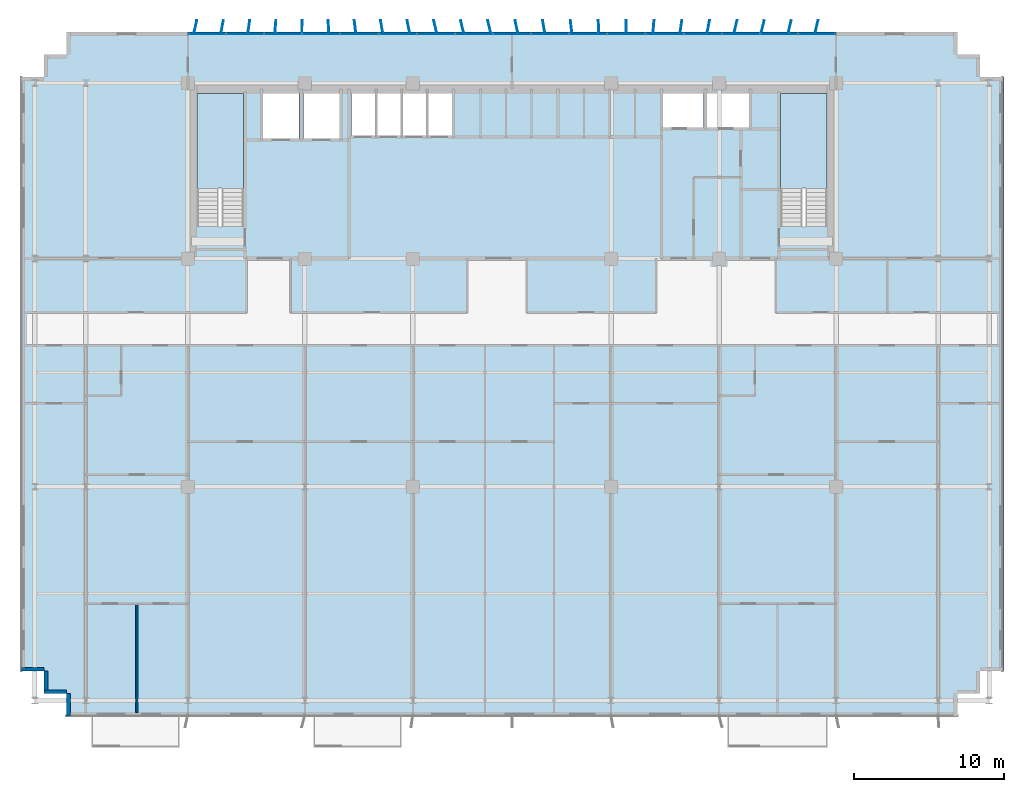
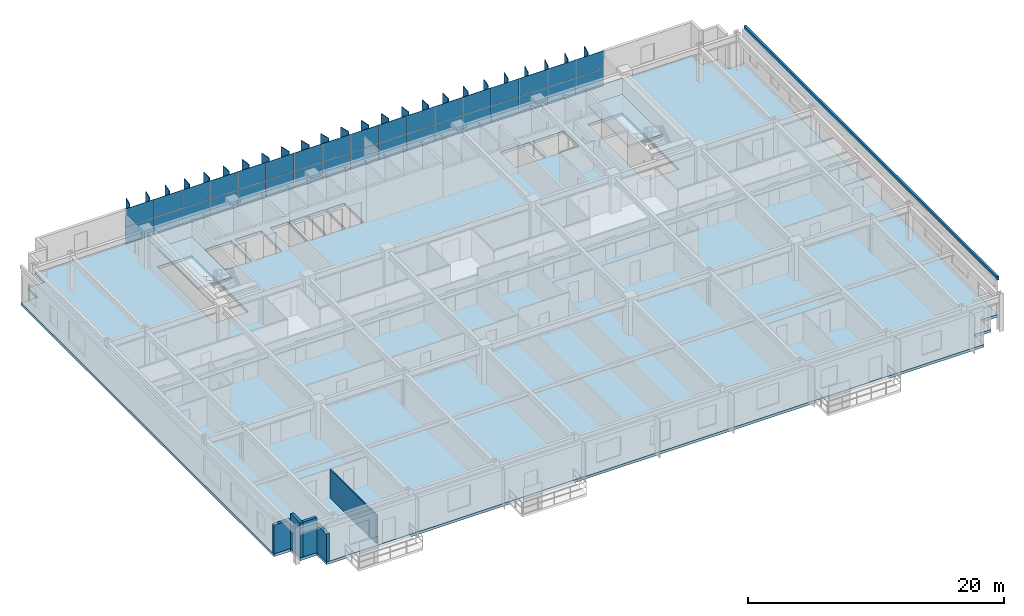
# One storey, part 14 of 22: 59 plates, 5 walls, 3 slabs, 3 elements without a shape of their own.
"""IFC4 building model written with IfcOpenShell, lengths in metres."""

from ifc_helpers import new_model, si_unit, direction, frame, frame_2d, origin, origin_2d, place, context, subcontext, project, spatial, polyline, rectangle, outline, extrude, source, transform, mapped, material, layer, layer_set, type_object, element, aggregate, save


model = new_model("IFC4")

# Units and contexts
model_context = context("Model", 3, precision=1e-05, world=origin(), true_north=direction((0.0, 1.0)))
body_context = subcontext(model_context, "Body", "Model", "MODEL_VIEW")
ifc_project = project(units=[si_unit("LENGTHUNIT", "METRE"), si_unit("AREAUNIT", "SQUARE_METRE"), si_unit("VOLUMEUNIT", "CUBIC_METRE"), si_unit("PLANEANGLEUNIT", "RADIAN"), si_unit("MASSUNIT", "GRAM", prefix="KILO")], contexts=[model_context])

# Site, building, storey
site_placement = place(None, origin())
site = spatial("IfcSite", under=ifc_project, at=site_placement, CompositionType="ELEMENT")
building_placement = place(site_placement, origin())
building = spatial("IfcBuilding", under=site, at=building_placement, Name="Trelvane Seafront Commons", CompositionType="ELEMENT")
storey_placement = place(building_placement, frame((0.0, 0.0, 55.89990234375)))
storey = spatial("IfcBuildingStorey", under=building, at=storey_placement, Name="L14", CompositionType="ELEMENT", Elevation=55.89990234375)

# Stair, slab
ifc_material_1 = material(Name="Concrete C40/50", Category="concrete")
stair_type_1 = type_object("IfcStairType", Name="ARCH-STR-ST-1-R20-180", PredefinedType="HALF_TURN_STAIR", material=ifc_material_1)
stair_1_placement = place(storey_placement, origin())
stair_1 = element("IfcStair", 1, at=stair_1_placement, inside=storey, type_object=stair_type_1, Name="L14 West Protected Firefighting Exit Stair ST-1", PredefinedType="HALF_TURN_STAIR")
ifc_layer_1 = layer(ifc_material_1, 0.199951171875, Name="ARCH-LND-200")
ifc_layer_set_1 = layer_set([ifc_layer_1], Name="Concrete C40/50")
slab_type_1 = type_object("IfcSlabType", Name="ARCH-LND-200", PredefinedType="LANDING", material=ifc_layer_set_1)
slab_1_placement = place(storey_placement, frame((0.0, 0.0, 1.60009765625)))
slab_1 = element("IfcSlab", 2, at=slab_1_placement, type_object=slab_type_1, Name="ST-1 landing 1", PredefinedType="LANDING", context=body_context, shape_type="SweptSolid", body=[
    extrude(outline(polyline([(19.300048828125, 38.070068359375), (19.300048828125, 44.39990234375), (16.199951171875, 44.39990234375), (16.199951171875, 38.070068359375), (19.300048828125, 38.070068359375)])), origin(), (0.0, 0.0, 1.0), 0.199951171875),
])
aggregate(stair_1, [slab_1])

stair_type_2 = type_object("IfcStairType", Name="ARCH-STR-ST-2-R20-180", PredefinedType="HALF_TURN_STAIR", material=ifc_material_1)
stair_2_placement = place(storey_placement, origin())
stair_2 = element("IfcStair", 3, at=stair_2_placement, inside=storey, type_object=stair_type_2, Name="L14 East Protected Firefighting Exit Stair ST-2", PredefinedType="HALF_TURN_STAIR")
slab_2_placement = place(storey_placement, frame((0.0, 0.0, 1.60009765625)))
slab_2 = element("IfcSlab", 4, at=slab_2_placement, type_object=slab_type_1, Name="ST-2 landing 1", PredefinedType="LANDING", context=body_context, shape_type="SweptSolid", body=[
    extrude(outline(polyline([(58.199951171875, 38.070068359375), (58.199951171875, 44.39990234375), (55.10009765625, 44.39990234375), (55.10009765625, 38.070068359375), (58.199951171875, 38.070068359375)])), origin(), (0.0, 0.0, 1.0), 0.199951171875),
])
aggregate(stair_2, [slab_2])

# Slab
ifc_material_2 = material(Name="Concrete C50/60", Category="concrete")
ifc_layer_2 = layer(ifc_material_2, 0.260009765625, Name="STR-SLB-Z1-260")
ifc_layer_set_2 = layer_set([ifc_layer_2], Name="Concrete C50/60")
slab_type_2 = type_object("IfcSlabType", Name="STR-SLB-Z1-260", PredefinedType="FLOOR", material=ifc_layer_set_2)
slab_3_placement = place(storey_placement, frame((0.0, 0.0, -0.260009765625)))
element("IfcSlab", 5, at=slab_3_placement, inside=storey, type_object=slab_type_2, Name="L14 Structural Floor Slab", PredefinedType="FLOOR", context=body_context, shape_type="SweptSolid", body=[
    extrude(outline(polyline([(7.5, 2.89990234375), (66.89990234375, 2.89990234375), (66.89990234375, 4.39990234375), (68.39990234375, 4.39990234375), (68.39990234375, 5.89990234375), (69.89990234375, 5.89990234375), (69.89990234375, 45.5), (68.39990234375, 45.5), (68.39990234375, 47.0), (66.89990234375, 47.0), (66.89990234375, 48.5), (7.5, 48.5), (7.5, 47.0), (6.0, 47.0), (6.0, 45.5), (4.5, 45.5), (4.5, 5.89990234375), (6.0, 5.89990234375), (6.0, 4.39990234375), (7.5, 4.39990234375), (7.5, 2.89990234375)]), holes=[polyline([(19.300048828125, 35.550048828125), (16.199951171875, 35.550048828125), (16.199951171875, 44.39990234375), (19.300048828125, 44.39990234375), (19.300048828125, 35.550048828125)]), polyline([(58.199951171875, 35.550048828125), (55.10009765625, 35.550048828125), (55.10009765625, 44.39990234375), (58.199951171875, 44.39990234375), (58.199951171875, 35.550048828125)]), polyline([(23.0, 41.39990234375), (20.60009765625, 41.39990234375), (20.60009765625, 44.60009765625), (23.0, 44.60009765625), (23.0, 41.39990234375)]), polyline([(23.300048828125, 41.39990234375), (23.300048828125, 44.60009765625), (25.699951171875, 44.60009765625), (25.699951171875, 41.39990234375), (23.300048828125, 41.39990234375)]), polyline([(26.5, 41.60009765625), (26.5, 44.60009765625), (28.1201171875, 44.60009765625), (28.1201171875, 41.60009765625), (26.5, 41.60009765625)]), polyline([(29.820068359375, 41.60009765625), (28.199951171875, 41.60009765625), (28.199951171875, 44.60009765625), (29.820068359375, 44.60009765625), (29.820068359375, 41.60009765625)]), polyline([(31.52001953125, 41.60009765625), (29.89990234375, 41.60009765625), (29.89990234375, 44.60009765625), (31.52001953125, 44.60009765625), (31.52001953125, 41.60009765625)]), polyline([(33.219970703125, 41.60009765625), (31.60009765625, 41.60009765625), (31.60009765625, 44.60009765625), (33.219970703125, 44.60009765625), (33.219970703125, 41.60009765625)]), polyline([(47.25, 42.14990234375), (47.25, 44.550048828125), (49.949951171875, 44.550048828125), (49.949951171875, 42.14990234375), (47.25, 42.14990234375)]), polyline([(50.199951171875, 42.14990234375), (50.199951171875, 44.550048828125), (53.0, 44.550048828125), (53.0, 42.14990234375), (50.199951171875, 42.14990234375)])]), origin(), (0.0, 0.0, 1.0), 0.260009765625),
])

# Curtain wall, plates
ifc_material_3 = material(Name="Anodised pale-silver aluminium", Category="aluminium")
curtain_wall_type = type_object("IfcCurtainWallType", Name="ARCH-CW2-LOWTOWER", PredefinedType="NOTDEFINED", material=ifc_material_3)
curtain_wall_placement = place(storey_placement, origin())
curtain_wall = element("IfcCurtainWall", 6, at=curtain_wall_placement, inside=storey, type_object=curtain_wall_type, Name="CW-L14-0038", PredefinedType="NOTDEFINED")
ifc_material_4 = material(Name="Low-E coastal double glazing", Category="glass")
ifc_layer_3 = layer(ifc_material_4, 0.033935546875, Name="ARCH-CW-GLAZ-34")
ifc_layer_set_3 = layer_set([ifc_layer_3], Name="Low-E coastal double glazing")
plate_type_1 = type_object("IfcPlateType", Name="ARCH-CW-GLAZ-34", PredefinedType="CURTAIN_PANEL", material=ifc_layer_set_3)
shared_shape_1 = source(origin(), body_context, "Body", "SweptSolid", [
    extrude(rectangle(XDim=2.51708984375, YDim=0.031982421875, at=origin_2d()), origin(), (0.0, 0.0, 1.0), 1.5849609375),
])
plate_1_placement = place(storey_placement, frame((16.87060546875, 48.3701171875, 0.0), z_axis=(0.0, 0.0, 1.0), x_axis=(1.0, 0.0, 0.0)))
plate_1 = element("IfcPlate", 7, at=plate_1_placement, type_object=plate_type_1, Name="CW-L14-0038-P00-1", PredefinedType="CURTAIN_PANEL", context=body_context, shape_type="MappedRepresentation", body=[
    mapped(shared_shape_1, transform((0.0, 0.0, 0.0), x_axis=(1.0, 0.0, 0.0), y_axis=(0.0, 1.0, 0.0), z_axis=(0.0, 0.0, 1.0), scale=1.0)),
])
plate_2_placement = place(storey_placement, frame((19.411865234375, 48.3701171875, 0.0), z_axis=(0.0, 0.0, 1.0), x_axis=(1.0, 0.0, 0.0)))
plate_2 = element("IfcPlate", 8, at=plate_2_placement, type_object=plate_type_1, Name="CW-L14-0038-P01-1", PredefinedType="CURTAIN_PANEL", context=body_context, shape_type="MappedRepresentation", body=[
    mapped(shared_shape_1, transform((0.0, 0.0, 0.0), x_axis=(1.0, 0.0, 0.0), y_axis=(0.0, 1.0, 0.0), z_axis=(0.0, 0.0, 1.0), scale=1.0)),
])
plate_3_placement = place(storey_placement, frame((21.952880859375, 48.3701171875, 0.0), z_axis=(0.0, 0.0, 1.0), x_axis=(1.0, 0.0, 0.0)))
plate_3 = element("IfcPlate", 9, at=plate_3_placement, type_object=plate_type_1, Name="CW-L14-0038-P02-1", PredefinedType="CURTAIN_PANEL", context=body_context, shape_type="MappedRepresentation", body=[
    mapped(shared_shape_1, transform((0.0, 0.0, 0.0), x_axis=(1.0, 0.0, 0.0), y_axis=(0.0, 1.0, 0.0), z_axis=(0.0, 0.0, 1.0), scale=1.0)),
])
plate_4_placement = place(storey_placement, frame((24.494140625, 48.3701171875, 0.0), z_axis=(0.0, 0.0, 1.0), x_axis=(1.0, 0.0, 0.0)))
plate_4 = element("IfcPlate", 10, at=plate_4_placement, type_object=plate_type_1, Name="CW-L14-0038-P03-1", PredefinedType="CURTAIN_PANEL", context=body_context, shape_type="MappedRepresentation", body=[
    mapped(shared_shape_1, transform((0.0, 0.0, 0.0), x_axis=(1.0, 0.0, 0.0), y_axis=(0.0, 1.0, 0.0), z_axis=(0.0, 0.0, 1.0), scale=1.0)),
])
plate_5_placement = place(storey_placement, frame((27.035400390625, 48.3701171875, 0.0), z_axis=(0.0, 0.0, 1.0), x_axis=(1.0, 0.0, 0.0)))
plate_5 = element("IfcPlate", 11, at=plate_5_placement, type_object=plate_type_1, Name="CW-L14-0038-P04-1", PredefinedType="CURTAIN_PANEL", context=body_context, shape_type="MappedRepresentation", body=[
    mapped(shared_shape_1, transform((0.0, 0.0, 0.0), x_axis=(1.0, 0.0, 0.0), y_axis=(0.0, 1.0, 0.0), z_axis=(0.0, 0.0, 1.0), scale=1.0)),
])
plate_6_placement = place(storey_placement, frame((29.576416015625, 48.3701171875, 0.0), z_axis=(0.0, 0.0, 1.0), x_axis=(1.0, 0.0, 0.0)))
plate_6 = element("IfcPlate", 12, at=plate_6_placement, type_object=plate_type_1, Name="CW-L14-0038-P05-1", PredefinedType="CURTAIN_PANEL", context=body_context, shape_type="MappedRepresentation", body=[
    mapped(shared_shape_1, transform((0.0, 0.0, 0.0), x_axis=(1.0, 0.0, 0.0), y_axis=(0.0, 1.0, 0.0), z_axis=(0.0, 0.0, 1.0), scale=1.0)),
])
plate_7_placement = place(storey_placement, frame((32.11767578125, 48.3701171875, 0.0), z_axis=(0.0, 0.0, 1.0), x_axis=(1.0, 0.0, 0.0)))
plate_7 = element("IfcPlate", 13, at=plate_7_placement, type_object=plate_type_1, Name="CW-L14-0038-P06-1", PredefinedType="CURTAIN_PANEL", context=body_context, shape_type="MappedRepresentation", body=[
    mapped(shared_shape_1, transform((0.0, 0.0, 0.0), x_axis=(1.0, 0.0, 0.0), y_axis=(0.0, 1.0, 0.0), z_axis=(0.0, 0.0, 1.0), scale=1.0)),
])
plate_8_placement = place(storey_placement, frame((34.65869140625, 48.3701171875, 0.0), z_axis=(0.0, 0.0, 1.0), x_axis=(1.0, 0.0, 0.0)))
plate_8 = element("IfcPlate", 14, at=plate_8_placement, type_object=plate_type_1, Name="CW-L14-0038-P07-1", PredefinedType="CURTAIN_PANEL", context=body_context, shape_type="MappedRepresentation", body=[
    mapped(shared_shape_1, transform((0.0, 0.0, 0.0), x_axis=(1.0, 0.0, 0.0), y_axis=(0.0, 1.0, 0.0), z_axis=(0.0, 0.0, 1.0), scale=1.0)),
])
plate_9_placement = place(storey_placement, frame((37.199951171875, 48.3701171875, 0.0), z_axis=(0.0, 0.0, 1.0), x_axis=(1.0, 0.0, 0.0)))
plate_9 = element("IfcPlate", 15, at=plate_9_placement, type_object=plate_type_1, Name="CW-L14-0038-P08-1", PredefinedType="CURTAIN_PANEL", context=body_context, shape_type="MappedRepresentation", body=[
    mapped(shared_shape_1, transform((0.0, 0.0, 0.0), x_axis=(1.0, 0.0, 0.0), y_axis=(0.0, 1.0, 0.0), z_axis=(0.0, 0.0, 1.0), scale=1.0)),
])
plate_10_placement = place(storey_placement, frame((39.7412109375, 48.3701171875, 0.0), z_axis=(0.0, 0.0, 1.0), x_axis=(1.0, 0.0, 0.0)))
plate_10 = element("IfcPlate", 16, at=plate_10_placement, type_object=plate_type_1, Name="CW-L14-0038-P09-1", PredefinedType="CURTAIN_PANEL", context=body_context, shape_type="MappedRepresentation", body=[
    mapped(shared_shape_1, transform((0.0, 0.0, 0.0), x_axis=(1.0, 0.0, 0.0), y_axis=(0.0, 1.0, 0.0), z_axis=(0.0, 0.0, 1.0), scale=1.0)),
])
plate_11_placement = place(storey_placement, frame((42.282470703125, 48.3701171875, 0.0), z_axis=(0.0, 0.0, 1.0), x_axis=(1.0, 0.0, 0.0)))
plate_11 = element("IfcPlate", 17, at=plate_11_placement, type_object=plate_type_1, Name="CW-L14-0038-P10-1", PredefinedType="CURTAIN_PANEL", context=body_context, shape_type="MappedRepresentation", body=[
    mapped(shared_shape_1, transform((0.0, 0.0, 0.0), x_axis=(1.0, 0.0, 0.0), y_axis=(0.0, 1.0, 0.0), z_axis=(0.0, 0.0, 1.0), scale=1.0)),
])
plate_12_placement = place(storey_placement, frame((44.823486328125, 48.3701171875, 0.0), z_axis=(0.0, 0.0, 1.0), x_axis=(1.0, 0.0, 0.0)))
plate_12 = element("IfcPlate", 18, at=plate_12_placement, type_object=plate_type_1, Name="CW-L14-0038-P11-1", PredefinedType="CURTAIN_PANEL", context=body_context, shape_type="MappedRepresentation", body=[
    mapped(shared_shape_1, transform((0.0, 0.0, 0.0), x_axis=(1.0, 0.0, 0.0), y_axis=(0.0, 1.0, 0.0), z_axis=(0.0, 0.0, 1.0), scale=1.0)),
])
plate_13_placement = place(storey_placement, frame((47.36474609375, 48.3701171875, 0.0), z_axis=(0.0, 0.0, 1.0), x_axis=(1.0, 0.0, 0.0)))
plate_13 = element("IfcPlate", 19, at=plate_13_placement, type_object=plate_type_1, Name="CW-L14-0038-P12-1", PredefinedType="CURTAIN_PANEL", context=body_context, shape_type="MappedRepresentation", body=[
    mapped(shared_shape_1, transform((0.0, 0.0, 0.0), x_axis=(1.0, 0.0, 0.0), y_axis=(0.0, 1.0, 0.0), z_axis=(0.0, 0.0, 1.0), scale=1.0)),
])
plate_14_placement = place(storey_placement, frame((49.906005859375, 48.3701171875, 0.0), z_axis=(0.0, 0.0, 1.0), x_axis=(1.0, 0.0, 0.0)))
plate_14 = element("IfcPlate", 20, at=plate_14_placement, type_object=plate_type_1, Name="CW-L14-0038-P13-1", PredefinedType="CURTAIN_PANEL", context=body_context, shape_type="MappedRepresentation", body=[
    mapped(shared_shape_1, transform((0.0, 0.0, 0.0), x_axis=(1.0, 0.0, 0.0), y_axis=(0.0, 1.0, 0.0), z_axis=(0.0, 0.0, 1.0), scale=1.0)),
])
plate_15_placement = place(storey_placement, frame((52.447021484375, 48.3701171875, 0.0), z_axis=(0.0, 0.0, 1.0), x_axis=(1.0, 0.0, 0.0)))
plate_15 = element("IfcPlate", 21, at=plate_15_placement, type_object=plate_type_1, Name="CW-L14-0038-P14-1", PredefinedType="CURTAIN_PANEL", context=body_context, shape_type="MappedRepresentation", body=[
    mapped(shared_shape_1, transform((0.0, 0.0, 0.0), x_axis=(1.0, 0.0, 0.0), y_axis=(0.0, 1.0, 0.0), z_axis=(0.0, 0.0, 1.0), scale=1.0)),
])
plate_16_placement = place(storey_placement, frame((54.98828125, 48.3701171875, 0.0), z_axis=(0.0, 0.0, 1.0), x_axis=(1.0, 0.0, 0.0)))
plate_16 = element("IfcPlate", 22, at=plate_16_placement, type_object=plate_type_1, Name="CW-L14-0038-P15-1", PredefinedType="CURTAIN_PANEL", context=body_context, shape_type="MappedRepresentation", body=[
    mapped(shared_shape_1, transform((0.0, 0.0, 0.0), x_axis=(1.0, 0.0, 0.0), y_axis=(0.0, 1.0, 0.0), z_axis=(0.0, 0.0, 1.0), scale=1.0)),
])
plate_17_placement = place(storey_placement, frame((57.529296875, 48.3701171875, 0.0), z_axis=(0.0, 0.0, 1.0), x_axis=(1.0, 0.0, 0.0)))
plate_17 = element("IfcPlate", 23, at=plate_17_placement, type_object=plate_type_1, Name="CW-L14-0038-P16-1", PredefinedType="CURTAIN_PANEL", context=body_context, shape_type="MappedRepresentation", body=[
    mapped(shared_shape_1, transform((0.0, 0.0, 0.0), x_axis=(1.0, 0.0, 0.0), y_axis=(0.0, 1.0, 0.0), z_axis=(0.0, 0.0, 1.0), scale=1.0)),
])
shared_shape_2 = source(origin(), body_context, "Body", "SweptSolid", [
    extrude(rectangle(XDim=2.51708984375, YDim=0.031982421875, at=origin_2d()), origin(), (0.0, 0.0, 1.0), 1.718994140625),
])
plate_18_placement = place(storey_placement, frame((16.87060546875, 48.3701171875, 1.62109375), z_axis=(0.0, 0.0, 1.0), x_axis=(1.0, 0.0, 0.0)))
plate_18 = element("IfcPlate", 24, at=plate_18_placement, type_object=plate_type_1, Name="CW-L14-0038-P00-2", PredefinedType="CURTAIN_PANEL", context=body_context, shape_type="MappedRepresentation", body=[
    mapped(shared_shape_2, transform((0.0, 0.0, 0.0), x_axis=(1.0, 0.0, 0.0), y_axis=(0.0, 1.0, 0.0), z_axis=(0.0, 0.0, 1.0), scale=1.0)),
])
plate_19_placement = place(storey_placement, frame((19.411865234375, 48.3701171875, 1.62109375), z_axis=(0.0, 0.0, 1.0), x_axis=(1.0, 0.0, 0.0)))
plate_19 = element("IfcPlate", 25, at=plate_19_placement, type_object=plate_type_1, Name="CW-L14-0038-P01-2", PredefinedType="CURTAIN_PANEL", context=body_context, shape_type="MappedRepresentation", body=[
    mapped(shared_shape_2, transform((0.0, 0.0, 0.0), x_axis=(1.0, 0.0, 0.0), y_axis=(0.0, 1.0, 0.0), z_axis=(0.0, 0.0, 1.0), scale=1.0)),
])
plate_20_placement = place(storey_placement, frame((21.952880859375, 48.3701171875, 1.62109375), z_axis=(0.0, 0.0, 1.0), x_axis=(1.0, 0.0, 0.0)))
plate_20 = element("IfcPlate", 26, at=plate_20_placement, type_object=plate_type_1, Name="CW-L14-0038-P02-2", PredefinedType="CURTAIN_PANEL", context=body_context, shape_type="MappedRepresentation", body=[
    mapped(shared_shape_2, transform((0.0, 0.0, 0.0), x_axis=(1.0, 0.0, 0.0), y_axis=(0.0, 1.0, 0.0), z_axis=(0.0, 0.0, 1.0), scale=1.0)),
])
plate_21_placement = place(storey_placement, frame((24.494140625, 48.3701171875, 1.62109375), z_axis=(0.0, 0.0, 1.0), x_axis=(1.0, 0.0, 0.0)))
plate_21 = element("IfcPlate", 27, at=plate_21_placement, type_object=plate_type_1, Name="CW-L14-0038-P03-2", PredefinedType="CURTAIN_PANEL", context=body_context, shape_type="MappedRepresentation", body=[
    mapped(shared_shape_2, transform((0.0, 0.0, 0.0), x_axis=(1.0, 0.0, 0.0), y_axis=(0.0, 1.0, 0.0), z_axis=(0.0, 0.0, 1.0), scale=1.0)),
])
plate_22_placement = place(storey_placement, frame((27.035400390625, 48.3701171875, 1.62109375), z_axis=(0.0, 0.0, 1.0), x_axis=(1.0, 0.0, 0.0)))
plate_22 = element("IfcPlate", 28, at=plate_22_placement, type_object=plate_type_1, Name="CW-L14-0038-P04-2", PredefinedType="CURTAIN_PANEL", context=body_context, shape_type="MappedRepresentation", body=[
    mapped(shared_shape_2, transform((0.0, 0.0, 0.0), x_axis=(1.0, 0.0, 0.0), y_axis=(0.0, 1.0, 0.0), z_axis=(0.0, 0.0, 1.0), scale=1.0)),
])
plate_23_placement = place(storey_placement, frame((29.576416015625, 48.3701171875, 1.62109375), z_axis=(0.0, 0.0, 1.0), x_axis=(1.0, 0.0, 0.0)))
plate_23 = element("IfcPlate", 29, at=plate_23_placement, type_object=plate_type_1, Name="CW-L14-0038-P05-2", PredefinedType="CURTAIN_PANEL", context=body_context, shape_type="MappedRepresentation", body=[
    mapped(shared_shape_2, transform((0.0, 0.0, 0.0), x_axis=(1.0, 0.0, 0.0), y_axis=(0.0, 1.0, 0.0), z_axis=(0.0, 0.0, 1.0), scale=1.0)),
])
plate_24_placement = place(storey_placement, frame((32.11767578125, 48.3701171875, 1.62109375), z_axis=(0.0, 0.0, 1.0), x_axis=(1.0, 0.0, 0.0)))
plate_24 = element("IfcPlate", 30, at=plate_24_placement, type_object=plate_type_1, Name="CW-L14-0038-P06-2", PredefinedType="CURTAIN_PANEL", context=body_context, shape_type="MappedRepresentation", body=[
    mapped(shared_shape_2, transform((0.0, 0.0, 0.0), x_axis=(1.0, 0.0, 0.0), y_axis=(0.0, 1.0, 0.0), z_axis=(0.0, 0.0, 1.0), scale=1.0)),
])
plate_25_placement = place(storey_placement, frame((34.65869140625, 48.3701171875, 1.62109375), z_axis=(0.0, 0.0, 1.0), x_axis=(1.0, 0.0, 0.0)))
plate_25 = element("IfcPlate", 31, at=plate_25_placement, type_object=plate_type_1, Name="CW-L14-0038-P07-2", PredefinedType="CURTAIN_PANEL", context=body_context, shape_type="MappedRepresentation", body=[
    mapped(shared_shape_2, transform((0.0, 0.0, 0.0), x_axis=(1.0, 0.0, 0.0), y_axis=(0.0, 1.0, 0.0), z_axis=(0.0, 0.0, 1.0), scale=1.0)),
])
plate_26_placement = place(storey_placement, frame((37.199951171875, 48.3701171875, 1.62109375), z_axis=(0.0, 0.0, 1.0), x_axis=(1.0, 0.0, 0.0)))
plate_26 = element("IfcPlate", 32, at=plate_26_placement, type_object=plate_type_1, Name="CW-L14-0038-P08-2", PredefinedType="CURTAIN_PANEL", context=body_context, shape_type="MappedRepresentation", body=[
    mapped(shared_shape_2, transform((0.0, 0.0, 0.0), x_axis=(1.0, 0.0, 0.0), y_axis=(0.0, 1.0, 0.0), z_axis=(0.0, 0.0, 1.0), scale=1.0)),
])
plate_27_placement = place(storey_placement, frame((39.7412109375, 48.3701171875, 1.62109375), z_axis=(0.0, 0.0, 1.0), x_axis=(1.0, 0.0, 0.0)))
plate_27 = element("IfcPlate", 33, at=plate_27_placement, type_object=plate_type_1, Name="CW-L14-0038-P09-2", PredefinedType="CURTAIN_PANEL", context=body_context, shape_type="MappedRepresentation", body=[
    mapped(shared_shape_2, transform((0.0, 0.0, 0.0), x_axis=(1.0, 0.0, 0.0), y_axis=(0.0, 1.0, 0.0), z_axis=(0.0, 0.0, 1.0), scale=1.0)),
])
plate_28_placement = place(storey_placement, frame((42.282470703125, 48.3701171875, 1.62109375), z_axis=(0.0, 0.0, 1.0), x_axis=(1.0, 0.0, 0.0)))
plate_28 = element("IfcPlate", 34, at=plate_28_placement, type_object=plate_type_1, Name="CW-L14-0038-P10-2", PredefinedType="CURTAIN_PANEL", context=body_context, shape_type="MappedRepresentation", body=[
    mapped(shared_shape_2, transform((0.0, 0.0, 0.0), x_axis=(1.0, 0.0, 0.0), y_axis=(0.0, 1.0, 0.0), z_axis=(0.0, 0.0, 1.0), scale=1.0)),
])
plate_29_placement = place(storey_placement, frame((44.823486328125, 48.3701171875, 1.62109375), z_axis=(0.0, 0.0, 1.0), x_axis=(1.0, 0.0, 0.0)))
plate_29 = element("IfcPlate", 35, at=plate_29_placement, type_object=plate_type_1, Name="CW-L14-0038-P11-2", PredefinedType="CURTAIN_PANEL", context=body_context, shape_type="MappedRepresentation", body=[
    mapped(shared_shape_2, transform((0.0, 0.0, 0.0), x_axis=(1.0, 0.0, 0.0), y_axis=(0.0, 1.0, 0.0), z_axis=(0.0, 0.0, 1.0), scale=1.0)),
])
plate_30_placement = place(storey_placement, frame((47.36474609375, 48.3701171875, 1.62109375), z_axis=(0.0, 0.0, 1.0), x_axis=(1.0, 0.0, 0.0)))
plate_30 = element("IfcPlate", 36, at=plate_30_placement, type_object=plate_type_1, Name="CW-L14-0038-P12-2", PredefinedType="CURTAIN_PANEL", context=body_context, shape_type="MappedRepresentation", body=[
    mapped(shared_shape_2, transform((0.0, 0.0, 0.0), x_axis=(1.0, 0.0, 0.0), y_axis=(0.0, 1.0, 0.0), z_axis=(0.0, 0.0, 1.0), scale=1.0)),
])
plate_31_placement = place(storey_placement, frame((49.906005859375, 48.3701171875, 1.62109375), z_axis=(0.0, 0.0, 1.0), x_axis=(1.0, 0.0, 0.0)))
plate_31 = element("IfcPlate", 37, at=plate_31_placement, type_object=plate_type_1, Name="CW-L14-0038-P13-2", PredefinedType="CURTAIN_PANEL", context=body_context, shape_type="MappedRepresentation", body=[
    mapped(shared_shape_2, transform((0.0, 0.0, 0.0), x_axis=(1.0, 0.0, 0.0), y_axis=(0.0, 1.0, 0.0), z_axis=(0.0, 0.0, 1.0), scale=1.0)),
])
plate_32_placement = place(storey_placement, frame((52.447021484375, 48.3701171875, 1.62109375), z_axis=(0.0, 0.0, 1.0), x_axis=(1.0, 0.0, 0.0)))
plate_32 = element("IfcPlate", 38, at=plate_32_placement, type_object=plate_type_1, Name="CW-L14-0038-P14-2", PredefinedType="CURTAIN_PANEL", context=body_context, shape_type="MappedRepresentation", body=[
    mapped(shared_shape_2, transform((0.0, 0.0, 0.0), x_axis=(1.0, 0.0, 0.0), y_axis=(0.0, 1.0, 0.0), z_axis=(0.0, 0.0, 1.0), scale=1.0)),
])
plate_33_placement = place(storey_placement, frame((54.98828125, 48.3701171875, 1.62109375), z_axis=(0.0, 0.0, 1.0), x_axis=(1.0, 0.0, 0.0)))
plate_33 = element("IfcPlate", 39, at=plate_33_placement, type_object=plate_type_1, Name="CW-L14-0038-P15-2", PredefinedType="CURTAIN_PANEL", context=body_context, shape_type="MappedRepresentation", body=[
    mapped(shared_shape_2, transform((0.0, 0.0, 0.0), x_axis=(1.0, 0.0, 0.0), y_axis=(0.0, 1.0, 0.0), z_axis=(0.0, 0.0, 1.0), scale=1.0)),
])
plate_34_placement = place(storey_placement, frame((57.529296875, 48.3701171875, 1.62109375), z_axis=(0.0, 0.0, 1.0), x_axis=(1.0, 0.0, 0.0)))
plate_34 = element("IfcPlate", 40, at=plate_34_placement, type_object=plate_type_1, Name="CW-L14-0038-P16-2", PredefinedType="CURTAIN_PANEL", context=body_context, shape_type="MappedRepresentation", body=[
    mapped(shared_shape_2, transform((0.0, 0.0, 0.0), x_axis=(1.0, 0.0, 0.0), y_axis=(0.0, 1.0, 0.0), z_axis=(0.0, 0.0, 1.0), scale=1.0)),
])
aggregate(curtain_wall, [plate_1, plate_18, plate_2, plate_19, plate_3, plate_20, plate_4, plate_21, plate_5, plate_22, plate_6, plate_23, plate_7, plate_24, plate_8, plate_25, plate_9, plate_26, plate_10, plate_27, plate_11, plate_28, plate_12, plate_29, plate_13, plate_30, plate_14, plate_31, plate_15, plate_32, plate_16, plate_33, plate_17, plate_34])

# Plates
ifc_layer_4 = layer(ifc_material_3, 0.06005859375, Name="ARCH-PLATE-FIN900")
ifc_layer_set_4 = layer_set([ifc_layer_4], Name="Anodised pale-silver aluminium")
plate_type_2 = type_object("IfcPlateType", Name="ARCH-PLATE-FIN900", PredefinedType="USERDEFINED", material=ifc_layer_set_4)
shared_shape_3 = source(origin(), body_context, "Body", "SweptSolid", [
    extrude(rectangle(XDim=0.89990234375, YDim=0.06005859375, at=origin_2d()), origin(), (0.0, 0.0, 1.0), 3.639892578125),
])
for number, where, z_axis, x_axis, name in (
    (41, (16.10009765625, 48.8388671875, -0.02001953125), (0.0, 0.0, 1.0), (0.222326221272, 0.974972333625, 0.0), "FIN-L14-00295"),
    (42, (17.884765625, 48.841796875, -0.02001953125), (0.0, 0.0, 1.0), (0.188438999586, 0.982084896246, 0.0), "FIN-L14-00296"),
    (43, (19.663330078125, 48.845703125, -0.02001953125), (0.0, 0.0, 1.0), (0.1405504559, 0.990073517142, 0.0), "FIN-L14-00297"),
    (44, (21.436767578125, 48.848388671875, -0.02001953125), (0.0, 0.0, 1.0), (0.081886324706, 0.996641675742, 0.0), "FIN-L14-00298"),
    (45, (23.20751953125, 48.849853515625, -0.02001953125), (0.0, 0.0, 1.0), (0.01677706296, 0.999859255175, 0.0), "FIN-L14-00299"),
    (46, (24.977783203125, 48.849609375, -0.02001953125), (0.0, 0.0, 1.0), (-0.049555771988, 0.998771357951, 0.0), "FIN-L14-00300"),
    (47, (26.74951171875, 48.84716796875, -0.02001953125), (0.0, 0.0, 1.0), (-0.112114124892, 0.993695337113, 0.0), "FIN-L14-00301"),
    (48, (28.525390625, 48.84375, -0.02001953125), (0.0, 0.0, 1.0), (-0.165894470317, 0.986143511218, 0.0), "FIN-L14-00302"),
    (49, (30.306884765625, 48.840087890625, -0.02001953125), (0.0, 0.0, 1.0), (-0.20721339735, 0.978295767117, 0.0), "FIN-L14-00303"),
    (50, (32.09521484375, 48.837646484375, -0.02001953125), (0.0, 0.0, 1.0), (-0.233112717493, 0.97244972155, 0.0), "FIN-L14-00304"),
    (51, (33.89111328125, 48.836669921875, -0.02001953125), (0.0, 0.0, 1.0), (-0.241881251735, 0.970305859025, 0.0), "FIN-L14-00305"),
    (52, (35.695068359375, 48.837646484375, -0.02001953125), (0.0, 0.0, 1.0), (-0.233112717493, 0.97244972155, 0.0), "FIN-L14-00306"),
    (53, (37.506591796875, 48.840087890625, -0.02001953125), (0.0, 0.0, 1.0), (-0.207343161591, 0.978268272685, 0.0), "FIN-L14-00307"),
    (54, (39.3251953125, 48.84375, -0.02001953125), (0.0, 0.0, 1.0), (-0.166109609507, 0.986107295191, 0.0), "FIN-L14-00308"),
    (55, (41.1494140625, 48.84716796875, -0.02001953125), (0.0, 0.0, 1.0), (-0.11233438148, 0.993670461842, 0.0), "FIN-L14-00309"),
    (56, (42.9775390625, 48.849609375, -0.02001953125), (0.0, 0.0, 1.0), (-0.049777155247, 0.99876034904, 0.0), "FIN-L14-00310"),
    (57, (44.8076171875, 48.849853515625, -0.02001953125), (0.0, 0.0, 1.0), (0.016555436932, 0.999862949363, 0.0), "FIN-L14-00311"),
    (58, (46.63671875, 48.848388671875, -0.02001953125), (0.0, 0.0, 1.0), (0.081555821314, 0.996668775476, 0.0), "FIN-L14-00312"),
    (59, (48.463134765625, 48.845703125, -0.02001953125), (0.0, 0.0, 1.0), (0.140332723965, 0.990104401861, 0.0), "FIN-L14-00313"),
    (60, (50.284912109375, 48.841796875, -0.02001953125), (0.0, 0.0, 1.0), (0.18833272667, 0.982105281558, 0.0), "FIN-L14-00314"),
    (61, (52.10009765625, 48.8388671875, -0.02001953125), (0.0, 0.0, 1.0), (0.222220717811, 0.974996385929, 0.0), "FIN-L14-00315"),
    (62, (53.90771484375, 48.8369140625, -0.02001953125), (0.0, 0.0, 1.0), (0.239658743326, 0.970857191737, 0.0), "FIN-L14-00316"),
    (63, (57.5, 48.8388671875, -0.02001953125), (0.0, 0.0, 1.0), (0.222326221272, 0.974972333625, 0.0), "FIN-L14-00318"),
):
    element("IfcPlate", number, at=place(storey_placement, frame(where, z_axis=z_axis, x_axis=x_axis)), inside=storey, type_object=plate_type_2, Name=name, ObjectType="FIN", PredefinedType="USERDEFINED", context=body_context, shape_type="MappedRepresentation", body=[
        mapped(shared_shape_3, transform((0.0, 0.0, 0.0), x_axis=(1.0, 0.0, 0.0), y_axis=(0.0, 1.0, 0.0), z_axis=(0.0, 0.0, 1.0), scale=1.0)),
    ])
shared_shape_4 = source(origin(), body_context, "Body", "SweptSolid", [
    extrude(rectangle(XDim=0.900146484375, YDim=0.06005859375, at=origin_2d()), origin(), (0.0, 0.0, 1.0), 3.639892578125),
])
plate_35_placement = place(storey_placement, frame((55.7080078125, 48.8369140625, -0.02001953125), z_axis=(0.0, 0.0, 1.0), x_axis=(0.239763798781, 0.970831252481, 0.0)))
element("IfcPlate", 64, at=plate_35_placement, inside=storey, type_object=plate_type_2, Name="FIN-L14-00317", ObjectType="FIN", PredefinedType="USERDEFINED", context=body_context, shape_type="MappedRepresentation", body=[
    mapped(shared_shape_4, transform((0.0, 0.0, 0.0), x_axis=(1.0, 0.0, 0.0), y_axis=(0.0, 1.0, 0.0), z_axis=(0.0, 0.0, 1.0), scale=1.0)),
])
ifc_layer_5 = layer(ifc_material_3, 0.179931640625, Name="ARCH-PLATE-AERO")
ifc_layer_set_5 = layer_set([ifc_layer_5], Name="Anodised pale-silver aluminium")
plate_type_3 = type_object("IfcPlateType", Name="ARCH-PLATE-AERO", PredefinedType="SHEET", material=ifc_layer_set_5)
shared_shape_5 = source(origin(), body_context, "Body", "SweptSolid", [
    extrude(rectangle(XDim=39.60009765625, YDim=0.179931640625, at=origin_2d()), origin(), (0.0, 0.0, 1.0), 0.340087890625),
])
plate_36_placement = place(storey_placement, frame((69.89990234375, 25.699951171875, 3.2802734375), z_axis=(0.0, 0.0, 1.0), x_axis=(0.0, -1.0, 0.0)))
element("IfcPlate", 65, at=plate_36_placement, inside=storey, type_object=plate_type_3, Name="AER-L14-00050", PredefinedType="SHEET", context=body_context, shape_type="MappedRepresentation", body=[
    mapped(shared_shape_5, transform((0.0, 0.0, 0.0), x_axis=(1.0, 0.0, 0.0), y_axis=(0.0, 1.0, 0.0), z_axis=(0.0, 0.0, 1.0), scale=1.0)),
])

# Walls
ifc_material_5 = material(Name="Precast concrete C40/50", Category="concrete")
ifc_layer_6 = layer(ifc_material_5, 0.260009765625, Name="ARCH-WALL-EXT260")
ifc_layer_set_6 = layer_set([ifc_layer_6], Name="Precast concrete C40/50")
wall_type_1 = type_object("IfcWallType", Name="ARCH-WALL-EXT260", PredefinedType="SOLIDWALL", material=ifc_layer_set_6)
for number, where, z_axis, x_axis, name in (
    (66, (7.5, 4.530029296875, 0.0), (0.0, 0.0, 1.0), (-1.0, 0.0, 0.0), "EW-L14-00236"),
    (67, (6.1298828125, 4.39990234375, 0.0), (0.0, 0.0, 1.0), (0.0, 1.0, 0.0), "EW-L14-00237"),
):
    element("IfcWall", number, at=place(storey_placement, frame(where, z_axis=z_axis, x_axis=x_axis)), inside=storey, type_object=wall_type_1, Name=name, PredefinedType="SOLIDWALL", context=body_context, shape_type="SweptSolid", body=[
        extrude(rectangle(XDim=1.5, YDim=0.260009765625, at=frame_2d((0.75, 0.0))), origin(), (0.0, 0.0, 1.0), 3.340087890625),
    ])
wall_1_placement = place(storey_placement, frame((6.0, 6.030029296875, 0.0), z_axis=(0.0, 0.0, 1.0), x_axis=(-1.0, 0.0, 0.0)))
element("IfcWall", 68, at=wall_1_placement, inside=storey, type_object=wall_type_1, Name="EW-L14-00238", PredefinedType="SOLIDWALL", context=body_context, shape_type="SweptSolid", body=[
    extrude(rectangle(XDim=1.5, YDim=0.260009765625, at=frame_2d((0.75, 0.0))), origin(), (0.0, 0.0, 1.0), 2.752197265625),
])
wall_2_placement = place(storey_placement, frame((7.6298828125, 2.89990234375, 0.0), z_axis=(0.0, 0.0, 1.0), x_axis=(0.0, 1.0, 0.0)))
element("IfcWall", 69, at=wall_2_placement, inside=storey, type_object=wall_type_1, Name="EW-L14-00254", PredefinedType="SOLIDWALL", context=body_context, shape_type="SweptSolid", body=[
    extrude(rectangle(XDim=1.5, YDim=0.260009765625, at=frame_2d((0.75, 0.0))), origin(), (0.0, 0.0, 1.0), 2.690185546875),
])
ifc_material_6 = material(Name="Gypsum Drywall Acoustic Partition")
ifc_layer_7 = layer(ifc_material_6, 0.1201171875, Name="ARCH-WALL-PART120")
ifc_layer_set_7 = layer_set([ifc_layer_7], Name="Gypsum Drywall Acoustic Partition")
wall_type_2 = type_object("IfcWallType", Name="ARCH-WALL-PART120", PredefinedType="PARTITIONING", material=ifc_layer_set_7)
wall_3_placement = place(storey_placement, frame((12.199951171875, 3.14501953125, 0.0), z_axis=(0.0, 0.0, 1.0), x_axis=(0.0, 1.0, 0.0)))
element("IfcWall", 70, at=wall_3_placement, inside=storey, type_object=wall_type_2, Name="W-L14-U2-BDV-1-072", PredefinedType="PARTITIONING", context=body_context, shape_type="SweptSolid", body=[
    extrude(rectangle(XDim=7.2548828125, YDim=0.1201171875, at=frame_2d((3.62744140625, 0.0))), origin(), (0.0, 0.0, 1.0), 2.690185546875),
])

save(model, "model.ifc")
